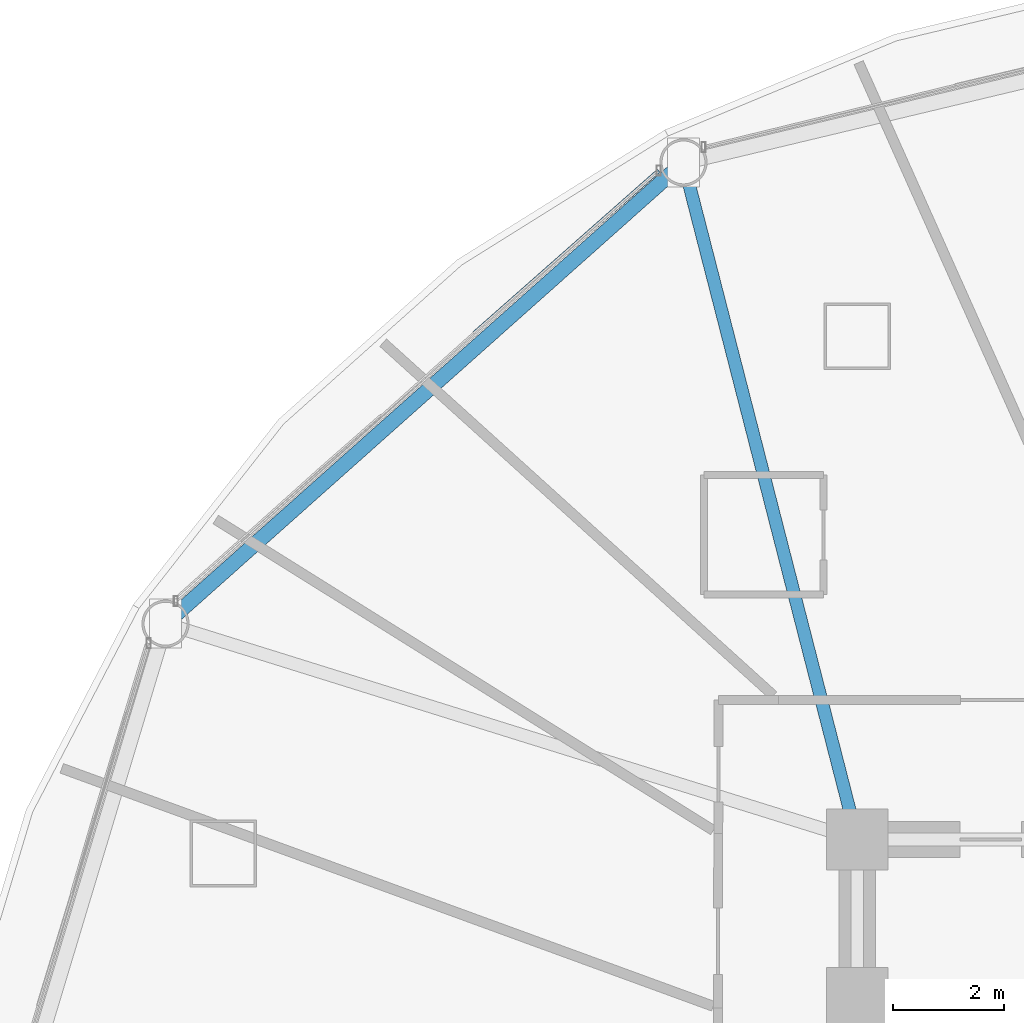
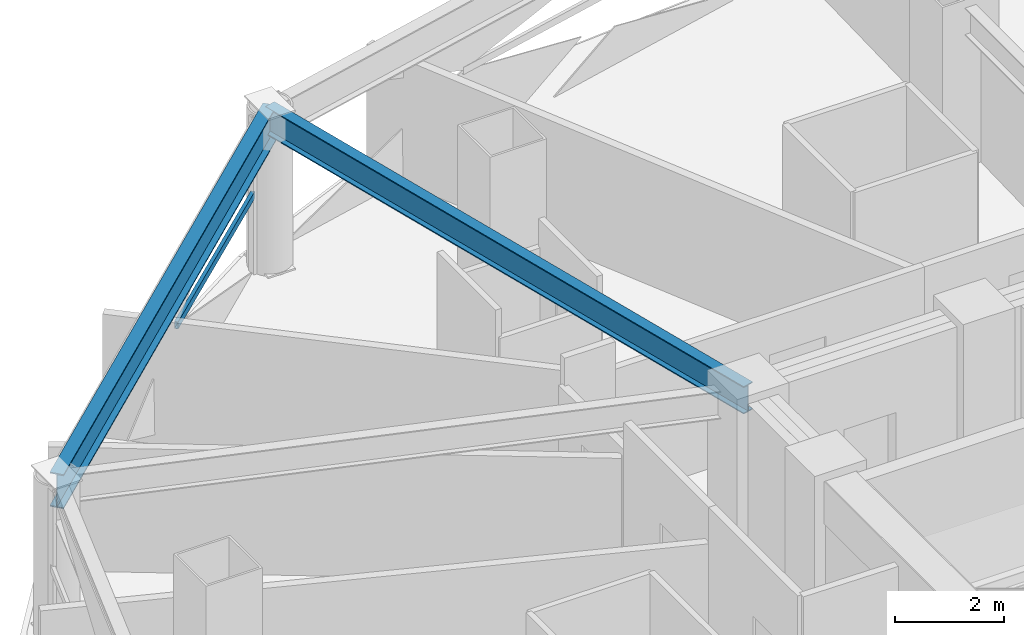
# One storey, part 15 of 31: 2 beams, 1 member, 1 element without a shape of its own.
"""IFC4 building model written with IfcOpenShell, lengths in metres."""

import ifcopenshell
import ifcopenshell.guid

model = None  # the IFC model being written
_history = None  # IfcOwnerHistory: only IFC2X3 demands one
_inside = {}  # id of a spatial element -> (the spatial element, [elements in it])
_under = {}  # id of a project, library or spatial element -> (it, [spatial elements below it])
_declared = {}  # id of a project -> (the project, [libraries it declares])
_typed = {}  # id of a type object -> (the type object, [elements of that type])
_made_of = {}  # id of a material, layer set ... -> (it, [elements and type objects made of it])


def new_model(schema):
    """Start an empty IFC model of exactly this schema.

    Asked for "IFC4X3", IfcOpenShell would pick the latest addendum, in which some entities
    have other attributes; the version numbers below select the first issue.
    IFC2X3 requires an IfcOwnerHistory on every rooted entity: one is made here for all.
    """
    global model, _history
    if schema == "IFC4X3":
        model = ifcopenshell.file(schema_version=(4, 3, 0, 0))
    else:
        model = ifcopenshell.file(schema=schema)
    _inside.clear()
    _under.clear()
    _declared.clear()
    _typed.clear()
    _made_of.clear()
    _history = None
    if model.schema == "IFC2X3":
        org = make("IfcOrganization", Name="unknown")
        user = make(
            "IfcPersonAndOrganization",
            ThePerson=make("IfcPerson", FamilyName="unknown"),
            TheOrganization=org,
        )
        app = make(
            "IfcApplication",
            ApplicationDeveloper=org,
            Version="unknown",
            ApplicationFullName="unknown",
            ApplicationIdentifier="unknown",
        )
        _history = make(
            "IfcOwnerHistory",
            OwningUser=user,
            OwningApplication=app,
            ChangeAction="ADDED",
            CreationDate=0,
        )
    return model


def make(cls, **values):
    """One entity of the class cls with the attributes given. An attribute that is None is left unset."""
    return model.create_entity(
        cls, **{name: value for name, value in values.items() if value is not None}
    )


def rooted(cls, **values):
    """An entity with a GlobalId (a new one), such as an element, a storey or a relation."""
    return make(cls, GlobalId=ifcopenshell.guid.new(), OwnerHistory=_history, **values)


def si_unit(unit_type, name, prefix=None):
    """IfcSIUnit, for example si_unit("LENGTHUNIT", "METRE", prefix="MILLI")."""
    return make("IfcSIUnit", UnitType=unit_type, Prefix=prefix, Name=name)


def assignment(units):
    """IfcUnitAssignment: the units of a project."""
    return None if units is None else make("IfcUnitAssignment", Units=units)


def point(xyz):
    """IfcCartesianPoint."""
    return None if xyz is None else make("IfcCartesianPoint", Coordinates=xyz)


def direction(xyz):
    """IfcDirection."""
    return None if xyz is None else make("IfcDirection", DirectionRatios=xyz)


def frame(location, z_axis=None, x_axis=None):
    """IfcAxis2Placement3D, a coordinate frame: its origin and axes. An axis left out is left unset."""
    return make(
        "IfcAxis2Placement3D",
        Location=point(location),
        Axis=direction(z_axis),
        RefDirection=direction(x_axis),
    )


def frame_2d(location, x_axis=None):
    """IfcAxis2Placement2D, a coordinate frame in the plane: its origin and x axis."""
    return make(
        "IfcAxis2Placement2D", Location=point(location), RefDirection=direction(x_axis)
    )


def origin():
    """The frame at (0, 0, 0) with its axes left unset."""
    return frame((0.0, 0.0, 0.0))


def origin_2d():
    """The frame at (0, 0) in the plane with its x axis left unset."""
    return frame_2d((0.0, 0.0))


def place(relative_to, where):
    """IfcLocalPlacement: puts the frame where relative to a parent placement (None: the world)."""
    return make(
        "IfcLocalPlacement", PlacementRelTo=relative_to, RelativePlacement=where
    )


def context(
    kind, dimensions, precision=None, world=None, true_north=None, identifier=None
):
    """IfcGeometricRepresentationContext, for example the 3D "Model" context."""
    return make(
        "IfcGeometricRepresentationContext",
        ContextIdentifier=identifier,
        ContextType=kind,
        CoordinateSpaceDimension=dimensions,
        Precision=precision,
        WorldCoordinateSystem=world,
        TrueNorth=true_north,
    )


def subcontext(parent, identifier, kind, view, scale=None):
    """IfcGeometricRepresentationSubContext, for example "Body" below "Model"."""
    return make(
        "IfcGeometricRepresentationSubContext",
        ContextIdentifier=identifier,
        ContextType=kind,
        ParentContext=parent,
        TargetScale=scale,
        TargetView=view,
    )


def project(units=None, contexts=None):
    """IfcProject with its units and contexts."""
    return rooted(
        "IfcProject",
        Name="project",
        RepresentationContexts=contexts,
        UnitsInContext=assignment(units),
    )


def spatial(cls, under=None, at=None, **own):
    """A site, building, storey or space (cls), placed at a placement, below another one or the project."""
    s = rooted(cls, ObjectPlacement=at, **own)
    if under is not None:
        _under.setdefault(under.id(), (under, []))[1].append(s)
    return s


def profile(cls, at=None, kind="AREA", **sizes):
    """A parametric profile (cls). Its sizes go by their IFC names, for example OverallWidth=200.0."""
    return make(cls, ProfileType=kind, Position=at, **sizes)


def hollow_rectangle(**sizes):
    """IfcRectangleHollowProfileDef."""
    return profile("IfcRectangleHollowProfileDef", **sizes)


def i_section(**sizes):
    """IfcIShapeProfileDef."""
    return profile("IfcIShapeProfileDef", **sizes)


def extrude(swept, where, along, depth):
    """IfcExtrudedAreaSolid: the profile swept, set in the frame where, extruded along a direction by depth."""
    return make(
        "IfcExtrudedAreaSolid",
        SweptArea=swept,
        Position=where,
        ExtrudedDirection=direction(along),
        Depth=depth,
    )


def shape(context_of_items, identifier, shape_type, items):
    """IfcShapeRepresentation: the items that make up one representation, for example the "Body"."""
    return make(
        "IfcShapeRepresentation",
        ContextOfItems=context_of_items,
        RepresentationIdentifier=identifier,
        RepresentationType=shape_type,
        Items=items,
    )


def material(Name=None, Category=None):
    """IfcMaterial."""
    return make("IfcMaterial", Name=Name, Category=Category)


def layer(
    of_material, thickness, ventilated=None, Name=None, Category=None, Priority=None
):
    """IfcMaterialLayer: one layer of a wall or slab, of a material (None: an air gap)."""
    return make(
        "IfcMaterialLayer",
        Material=of_material,
        LayerThickness=thickness,
        IsVentilated=ventilated,
        Name=Name,
        Category=Category,
        Priority=Priority,
    )


def layer_set(layers, Name=None):
    """IfcMaterialLayerSet."""
    return make("IfcMaterialLayerSet", MaterialLayers=layers, LayerSetName=Name)


def material_profile(
    of_material, cross_section, Name=None, Category=None, Priority=None
):
    """IfcMaterialProfile: a cross section and its material."""
    return make(
        "IfcMaterialProfile",
        Name=Name,
        Material=of_material,
        Profile=cross_section,
        Priority=Priority,
        Category=Category,
    )


def profile_set(profiles, Name=None, composite=None):
    """IfcMaterialProfileSet."""
    return make(
        "IfcMaterialProfileSet",
        Name=Name,
        MaterialProfiles=profiles,
        CompositeProfile=composite,
    )


def made_of(thing, what):
    """Note that an element or type object is made of a material, layer set ...; save() writes the relation."""
    if what is not None:
        _made_of.setdefault(what.id(), (what, []))[1].append(thing)
    return thing


def type_object(cls, material=None, **own):
    """A type object (cls), such as IfcWallType, which elements share."""
    return made_of(rooted(cls, **own), material)


def element(
    cls,
    number,
    at=None,
    inside=None,
    cuts=None,
    type_object=None,
    material=None,
    context=None,
    identifier="Body",
    shape_type=None,
    held_by="IfcProductDefinitionShape",
    body=None,
    shapes=None,
    **own,
):
    """One element of the class cls, such as IfcWall. Its Tag is "e" and its number.

    at: its placement. inside: the storey or other place that contains it. cuts: it is an
    opening in that element (IfcRelVoidsElement). A single representation is given by context,
    identifier, shape_type and body (its items); several are given by shapes. held_by: the class
    of the entity that holds the representations. save() writes the other relations.
    """
    e = rooted(cls, Tag="e%d" % number, ObjectPlacement=at, **own)
    if body is not None:
        shapes = [shape(context, identifier, shape_type, body)]
    if shapes is not None:
        e.Representation = make(held_by, Representations=shapes)
    if inside is not None:
        _inside.setdefault(inside.id(), (inside, []))[1].append(e)
    if cuts is not None:
        rooted(
            "IfcRelVoidsElement", RelatingBuildingElement=cuts, RelatedOpeningElement=e
        )
    if type_object is not None:
        _typed.setdefault(type_object.id(), (type_object, []))[1].append(e)
    return made_of(e, material)


def aggregate(whole, parts):
    """IfcRelAggregates: a whole, such as a stair, and the parts it consists of."""
    return rooted("IfcRelAggregates", RelatingObject=whole, RelatedObjects=parts)


def save(model, path):
    """Write the relations noted so far, then the file.

    IfcRelAggregates (storeys below a building ...), IfcRelContainedInSpatialStructure (elements
    in a storey), IfcRelDefinesByType, IfcRelAssociatesMaterial and IfcRelDeclares: one each for
    every whole, place, type object, material and project.
    """
    for whole, parts in _under.values():
        aggregate(whole, parts)
    for where, things in _inside.values():
        rooted(
            "IfcRelContainedInSpatialStructure",
            RelatedElements=things,
            RelatingStructure=where,
        )
    for kind, things in _typed.values():
        rooted("IfcRelDefinesByType", RelatedObjects=things, RelatingType=kind)
    for what, things in _made_of.values():
        rooted("IfcRelAssociatesMaterial", RelatedObjects=things, RelatingMaterial=what)
    for by, libraries in _declared.values():
        rooted("IfcRelDeclares", RelatingContext=by, RelatedDefinitions=libraries)
    model.write(path)


model = new_model("IFC4")

# Units and contexts
model_context = context("Model", 3, precision=1e-05, world=origin(), true_north=direction((0.0, 1.0)))
body_context = subcontext(model_context, "Body", "Model", "MODEL_VIEW")
ifc_project = project(units=[si_unit("LENGTHUNIT", "METRE"), si_unit("AREAUNIT", "SQUARE_METRE"), si_unit("VOLUMEUNIT", "CUBIC_METRE"), si_unit("PLANEANGLEUNIT", "RADIAN"), si_unit("MASSUNIT", "GRAM", prefix="KILO")], contexts=[model_context])

# Site, building, storey
site_placement = place(None, origin())
site = spatial("IfcSite", under=ifc_project, at=site_placement, CompositionType="ELEMENT")
building_placement = place(site_placement, origin())
building = spatial("IfcBuilding", under=site, at=building_placement, Name="Vantalir Tower", CompositionType="ELEMENT")
storey_placement = place(building_placement, frame((0.0, 0.0, 30.75)))
storey = spatial("IfcBuildingStorey", under=building, at=storey_placement, Name="L06", CompositionType="ELEMENT", Elevation=30.75)

# Beams
ifc_material_1 = material(Name="Steel S355", Category="steel")
ifc_material_profile_1 = material_profile(ifc_material_1, i_section(OverallWidth=0.22998046875, OverallDepth=0.616943359375, WebThickness=0.01318359375, FlangeThickness=0.022216796875, at=origin_2d()), Name="Steel S355")
ifc_profile_set_1 = profile_set([ifc_material_profile_1], Name="Steel S355")
beam_type_1 = type_object("IfcBeamType", Name="BM-RB-610x229", PredefinedType="BEAM", material=ifc_profile_set_1)
beam_1_placement = place(storey_placement, frame((18.77490234375, 44.6279296875, 3.261962890625), z_axis=(0.248557552091, -0.968617129365, 0.0), x_axis=(0.968617129365, 0.248557552091, 0.0)))
element("IfcBeam", 1, at=beam_1_placement, inside=storey, type_object=beam_type_1, Name="L06 Radial Floor Beam 05", PredefinedType="BEAM", context=body_context, shape_type="SweptSolid", body=[
    extrude(i_section(OverallWidth=0.22998046875, OverallDepth=0.616943359375, WebThickness=0.01318359375, FlangeThickness=0.022216796875, at=origin_2d()), origin(), (0.0, 0.0, 1.0), 12.572509765625),
])
ifc_material_2 = material(Name="Steel S460", Category="steel")
ifc_material_profile_2 = material_profile(ifc_material_2, i_section(OverallWidth=0.26806640625, OverallDepth=0.77001953125, WebThickness=0.015625, FlangeThickness=0.025390625, at=origin_2d()), Name="Steel S460")
ifc_profile_set_2 = profile_set([ifc_material_profile_2], Name="Steel S460")
beam_type_2 = type_object("IfcBeamType", Name="BM-RG-762x267", PredefinedType="USERDEFINED", material=ifc_profile_set_2)
beam_2_placement = place(storey_placement, frame((18.77490234375, 44.6279296875, 3.18505859375), z_axis=(-0.746774014303, -0.665077868795, 0.0), x_axis=(0.665077868795, -0.746774014303, 0.0)))
element("IfcBeam", 2, at=beam_2_placement, inside=storey, type_object=beam_type_2, Name="L06 Circumferential Ring Girder 05", ObjectType="GIRDER", PredefinedType="USERDEFINED", context=body_context, shape_type="SweptSolid", body=[
    extrude(i_section(OverallWidth=0.26806640625, OverallDepth=0.77001953125, WebThickness=0.015625, FlangeThickness=0.025390625, at=origin_2d()), origin(), (0.0, 0.0, 1.0), 12.4736328125),
])

# Curtain wall, member
ifc_material_3 = material(Name="Champagne-silver PVDF aluminium and double-silver Low-E glass", Category="aluminium")
ifc_layer = layer(ifc_material_3, 0.18994140625)
ifc_layer_set = layer_set([ifc_layer], Name="Champagne-silver PVDF aluminium and double-silver Low-E glass")
curtain_wall_type = type_object("IfcCurtainWallType", Name="CW-DIAMOND-Z1", PredefinedType="USERDEFINED", material=ifc_layer_set)
curtain_wall_placement = place(storey_placement, origin())
curtain_wall = element("IfcCurtainWall", 3, at=curtain_wall_placement, inside=storey, type_object=curtain_wall_type, Name="L06 Quilted Pyramid-Diamond Curtain Wall S05", ObjectType="UNITISED CURTAIN WALL", PredefinedType="USERDEFINED")
ifc_material_4 = material(Name="Champagne-silver PVDF aluminium 6063-T6", Category="aluminium")
ifc_material_profile_3 = material_profile(ifc_material_4, hollow_rectangle(XDim=0.074951171875, YDim=0.159912109375, WallThickness=0.00390625, at=origin_2d()), Name="Champagne-silver PVDF aluminium 6063-T6")
ifc_profile_set_3 = profile_set([ifc_material_profile_3], Name="Champagne-silver PVDF aluminium 6063-T6")
member_type = type_object("IfcMemberType", Name="CWT-160x75", PredefinedType="USERDEFINED", material=ifc_profile_set_3)
member_placement = place(storey_placement, frame((18.3291015625, 44.47900390625, 1.784912109375), z_axis=(-0.750056976402, -0.661373216989, 0.0), x_axis=(0.661373216989, -0.750056976402, 0.0)))
member = element("IfcMember", 4, at=member_placement, type_object=member_type, Name="CW-L06-S05 Pyramid Fold Ridge Transom", ObjectType="TRANSOM", PredefinedType="USERDEFINED", context=body_context, shape_type="SweptSolid", body=[
    extrude(hollow_rectangle(XDim=0.074951171875, YDim=0.159912109375, WallThickness=0.00390625, at=origin_2d()), origin(), (0.0, 0.0, 1.0), 4.421142578125),
])
aggregate(curtain_wall, [member])

save(model, "model.ifc")
